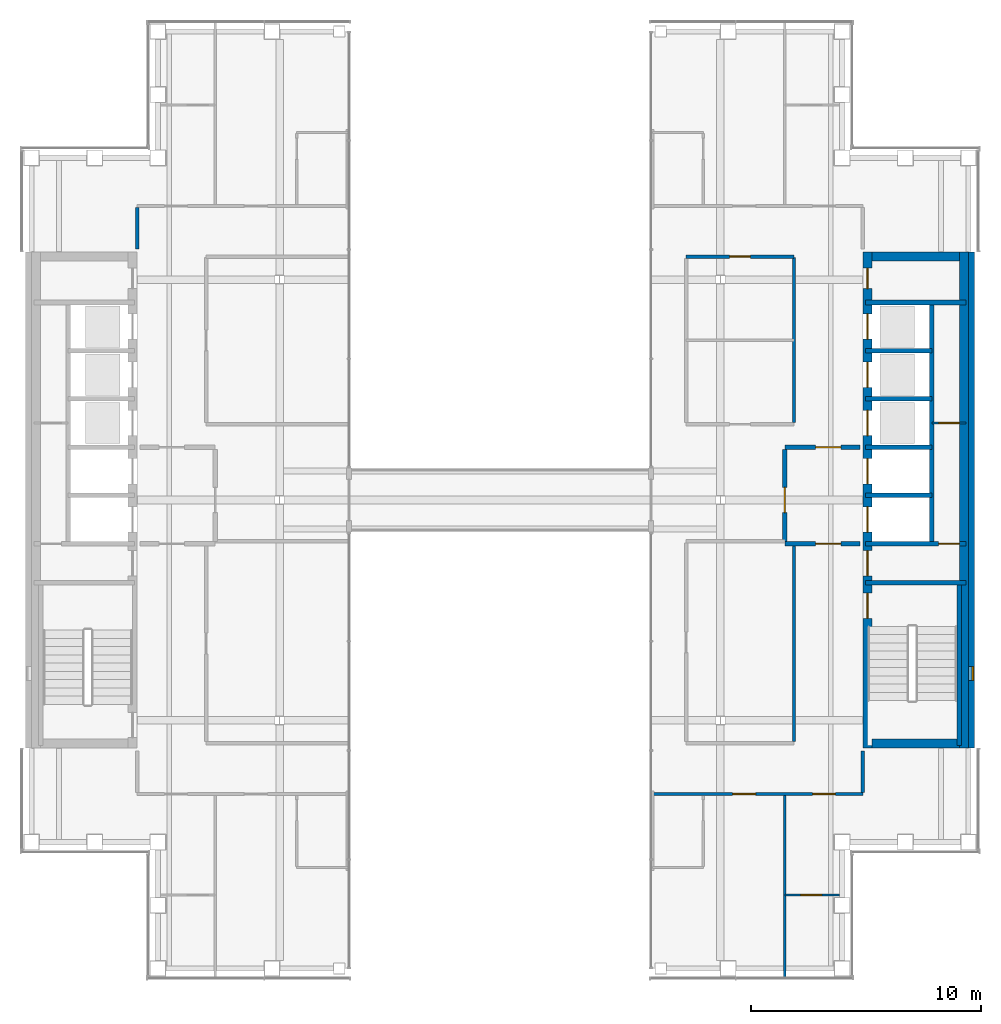
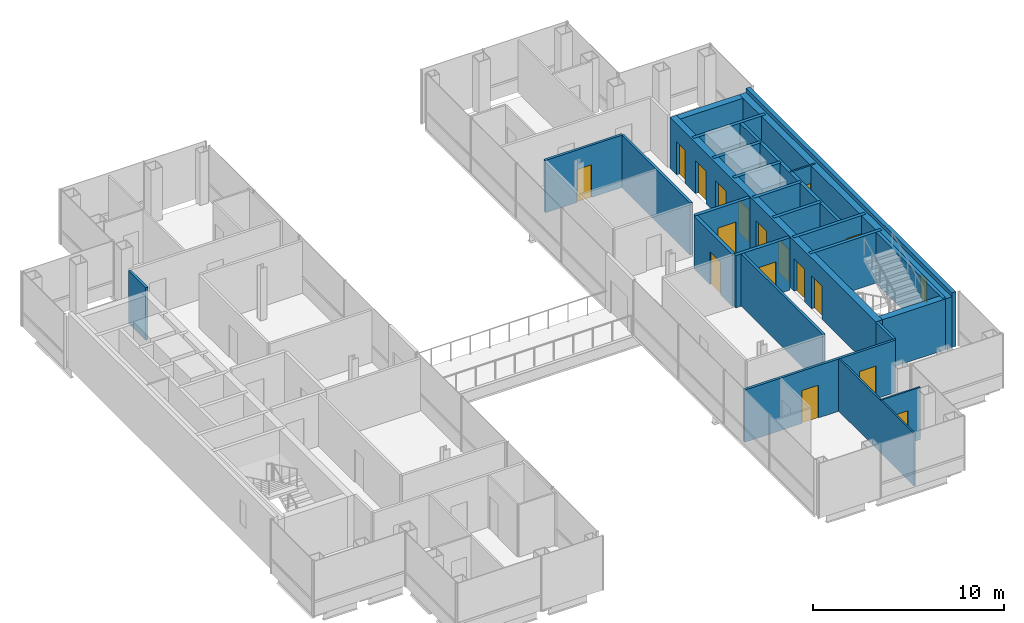
# One storey, part 12 of 15: 26 walls, 17 doors, 1 window, 18 openings.
"""IFC4 building model written with IfcOpenShell, lengths in metres."""

from ifc_helpers import new_model, si_unit, direction, frame, frame_2d, origin, place, context, subcontext, project, spatial, rectangle, extrude, material, layer, layer_set, type_object, element, fill, save


model = new_model("IFC4")

# Units and contexts
model_context = context("Model", 3, precision=1e-05, world=origin(), true_north=direction((0.0, 1.0)))
body_context = subcontext(model_context, "Body", "Model", "MODEL_VIEW")
ifc_project = project(units=[si_unit("LENGTHUNIT", "METRE"), si_unit("AREAUNIT", "SQUARE_METRE"), si_unit("VOLUMEUNIT", "CUBIC_METRE"), si_unit("PLANEANGLEUNIT", "RADIAN"), si_unit("MASSUNIT", "GRAM", prefix="KILO")], contexts=[model_context])

# Site, building, storey
site_placement = place(None, origin())
site = spatial("IfcSite", under=ifc_project, at=site_placement, CompositionType="ELEMENT")
building_placement = place(site_placement, origin())
building = spatial("IfcBuilding", under=site, at=building_placement, Name="Cobrizo Arcos Hotel Tower", CompositionType="ELEMENT")
storey_placement = place(building_placement, frame((0.0, 0.0, 222.5)))
storey = spatial("IfcBuildingStorey", under=building, at=storey_placement, Name="L58", CompositionType="ELEMENT", Elevation=222.5)

# Wall, openings, doors
ifc_material_1 = material(Name="Gypsum board partition")
ifc_layer_1 = layer(ifc_material_1, 0.14990234375)
ifc_layer_set_1 = layer_set([ifc_layer_1], Name="Corridor wall EI 60 150")
wall_type_1 = type_object("IfcWallType", Name="Corridor wall EI 60 150", PredefinedType="PARTITIONING", material=ifc_layer_set_1)
wall_1_placement = place(storey_placement, frame((6.64990234375, -12.800048828125, 0.0), z_axis=(0.0, 0.0, 1.0), x_axis=(1.0, 0.0, 0.0)))
wall_1 = element("IfcWall", 1, at=wall_1_placement, inside=storey, type_object=wall_type_1, Name="Partition 006", PredefinedType="PARTITIONING", context=body_context, shape_type="SweptSolid", body=[
    extrude(rectangle(XDim=9.150146484375, YDim=0.14990234375, at=frame_2d((4.5751953125, 0.0))), origin(), (0.0, 0.0, 1.0), 3.35009765625),
])
opening_1_placement = place(wall_1_placement, frame((3.48291015625, 0.0, 0.0)))
opening_1 = element("IfcOpeningElement", 2, at=opening_1_placement, cuts=wall_1, Name="Opening GD-03", PredefinedType="OPENING", context=body_context, shape_type="SweptSolid", body=[
    extrude(rectangle(XDim=1.0, YDim=2.10009765625, at=frame_2d((0.5, 1.050048828125))), frame((0.0, 0.0869140625, 0.0), z_axis=(0.0, -1.0, 0.0), x_axis=(1.0, 0.0, 0.0)), (0.0, 0.0, 1.0), 0.173828125),
])
opening_2_placement = place(wall_1_placement, frame((6.9580078125, 0.0, 0.0)))
opening_2 = element("IfcOpeningElement", 3, at=opening_2_placement, cuts=wall_1, Name="Opening GD-07", PredefinedType="OPENING", context=body_context, shape_type="SweptSolid", body=[
    extrude(rectangle(XDim=1.0, YDim=2.10009765625, at=frame_2d((0.5, 1.050048828125))), frame((0.0, 0.0869140625, 0.0), z_axis=(0.0, -1.0, 0.0), x_axis=(1.0, 0.0, 0.0)), (0.0, 0.0, 1.0), 0.173828125),
])
ifc_material_2 = material(Name="Timber door leaf", Category="wood")
door_type_1 = type_object("IfcDoorType", Name="Guest room door FD30S 1000x2100", OperationType="SINGLE_SWING_LEFT", PredefinedType="DOOR", material=ifc_material_2)
door_1_placement = place(opening_1_placement, origin())
door_1 = element("IfcDoor", 4, at=door_1_placement, inside=storey, type_object=door_type_1, Name="Door GD-03", OperationType="SINGLE_SWING_RIGHT", OverallHeight=2.10009765625, OverallWidth=1.0, PredefinedType="DOOR", context=body_context, shape_type="SweptSolid", body=[
    extrude(rectangle(XDim=1.0, YDim=2.10009765625, at=frame_2d((0.5, 1.050048828125))), frame((0.0, 0.02490234375, 0.0), z_axis=(0.0, -1.0, 0.0), x_axis=(1.0, 0.0, 0.0)), (0.0, 0.0, 1.0), 0.050048828125),
])
fill(opening_1, door_1)
door_2_placement = place(opening_2_placement, origin())
door_2 = element("IfcDoor", 5, at=door_2_placement, inside=storey, type_object=door_type_1, Name="Door GD-07", OperationType="SINGLE_SWING_LEFT", OverallHeight=2.10009765625, OverallWidth=1.0, PredefinedType="DOOR", context=body_context, shape_type="SweptSolid", body=[
    extrude(rectangle(XDim=1.0, YDim=2.10009765625, at=frame_2d((0.5, 1.050048828125))), frame((0.0, 0.02490234375, 0.0), z_axis=(0.0, -1.0, 0.0), x_axis=(1.0, 0.0, 0.0)), (0.0, 0.0, 1.0), 0.050048828125),
])
fill(opening_2, door_2)

# Wall, opening, door
wall_2_placement = place(storey_placement, frame((8.10009765625, 10.60009765625, 0.0), z_axis=(0.0, 0.0, 1.0), x_axis=(1.0, 0.0, 0.0)))
wall_2 = element("IfcWall", 6, at=wall_2_placement, inside=storey, type_object=wall_type_1, Name="Partition 035", PredefinedType="PARTITIONING", context=body_context, shape_type="SweptSolid", body=[
    extrude(rectangle(XDim=4.699951171875, YDim=0.14990234375, at=frame_2d((2.35009765625, 0.0))), origin(), (0.0, 0.0, 1.0), 3.35009765625),
])
opening_3_placement = place(wall_2_placement, frame((1.89990234375, 0.0, 0.0)))
opening_3 = element("IfcOpeningElement", 7, at=opening_3_placement, cuts=wall_2, Name="Opening ED-10", PredefinedType="OPENING", context=body_context, shape_type="SweptSolid", body=[
    extrude(rectangle(XDim=0.89990234375, YDim=2.10009765625, at=frame_2d((0.449951171875, 1.050048828125))), frame((0.0, 0.0869140625, 0.0), z_axis=(0.0, -1.0, 0.0), x_axis=(1.0, 0.0, 0.0)), (0.0, 0.0, 1.0), 0.173828125),
])
door_type_2 = type_object("IfcDoorType", Name="En-suite door 900x2100", OperationType="SINGLE_SWING_LEFT", PredefinedType="DOOR", material=ifc_material_2)
door_3_placement = place(opening_3_placement, origin())
door_3 = element("IfcDoor", 8, at=door_3_placement, inside=storey, type_object=door_type_2, Name="Door ED-10", OperationType="SINGLE_SWING_LEFT", OverallHeight=2.10009765625, OverallWidth=0.89990234375, PredefinedType="DOOR", context=body_context, shape_type="SweptSolid", body=[
    extrude(rectangle(XDim=0.89990234375, YDim=2.10009765625, at=frame_2d((0.449951171875, 1.050048828125))), frame((0.0, 0.02490234375, 0.0), z_axis=(0.0, -1.0, 0.0), x_axis=(1.0, 0.0, 0.0)), (0.0, 0.0, 1.0), 0.050048828125),
])
fill(opening_3, door_3)

# Walls
wall_3_placement = place(storey_placement, frame((-15.800048828125, 10.919921875, 0.0), z_axis=(0.0, 0.0, 1.0), x_axis=(0.0, 1.0, 0.0)))
element("IfcWall", 9, at=wall_3_placement, inside=storey, type_object=wall_type_1, Name="Partition 045", PredefinedType="PARTITIONING", context=body_context, shape_type="SweptSolid", body=[
    extrude(rectangle(XDim=1.80517578125, YDim=0.14990234375, at=frame_2d((0.902587890625, 0.0))), origin(), (0.0, 0.0, 1.0), 3.35009765625),
])
wall_4_placement = place(storey_placement, frame((12.800048828125, -10.52490234375, 0.0), z_axis=(0.0, 0.0, 1.0), x_axis=(0.0, 1.0, 0.0)))
element("IfcWall", 10, at=wall_4_placement, inside=storey, type_object=wall_type_1, Name="Partition 064", PredefinedType="PARTITIONING", context=body_context, shape_type="SweptSolid", body=[
    extrude(rectangle(XDim=8.52490234375, YDim=0.14990234375, at=frame_2d((4.262451171875, 0.0))), origin(), (0.0, 0.0, 1.0), 3.35009765625),
])
wall_5_placement = place(storey_placement, frame((12.800048828125, 3.375, 0.0), z_axis=(0.0, 0.0, 1.0), x_axis=(0.0, 1.0, 0.0)))
element("IfcWall", 11, at=wall_5_placement, inside=storey, type_object=wall_type_1, Name="Partition 065", PredefinedType="PARTITIONING", context=body_context, shape_type="SweptSolid", body=[
    extrude(rectangle(XDim=7.175048828125, YDim=0.14990234375, at=frame_2d((3.58740234375, 0.0))), origin(), (0.0, 0.0, 1.0), 3.35009765625),
])
wall_6_placement = place(storey_placement, frame((15.800048828125, -12.72509765625, 0.0), z_axis=(0.0, 0.0, 1.0), x_axis=(0.0, 1.0, 0.0)))
element("IfcWall", 12, at=wall_6_placement, inside=storey, type_object=wall_type_1, Name="Partition 066", PredefinedType="PARTITIONING", context=body_context, shape_type="SweptSolid", body=[
    extrude(rectangle(XDim=1.80517578125, YDim=0.14990234375, at=frame_2d((0.902587890625, 0.0))), origin(), (0.0, 0.0, 1.0), 3.35009765625),
])

# Wall, opening, window
ifc_material_3 = material(Name="Aluminium composite panel pale metal", Category="aluminium")
ifc_layer_2 = layer(ifc_material_3, 0.25)
ifc_layer_set_2 = layer_set([ifc_layer_2], Name="EW-1 insulated panel wall 250")
wall_type_2 = type_object("IfcWallType", Name="EW-1 insulated panel wall 250", PredefinedType="SOLIDWALL", material=ifc_layer_set_2)
wall_7_placement = place(storey_placement, frame((20.52490234375, -10.800048828125, 0.0), z_axis=(0.0, 0.0, 1.0), x_axis=(0.0, 1.0, 0.0)))
wall_7 = element("IfcWall", 13, at=wall_7_placement, inside=storey, type_object=wall_type_2, Name="Core face wall L58 E", PredefinedType="SOLIDWALL", context=body_context, shape_type="SweptSolid", body=[
    extrude(rectangle(XDim=21.60009765625, YDim=0.25, at=frame_2d((10.800048828125, 0.0))), origin(), (0.0, 0.0, 1.0), 3.5),
])
opening_4_placement = place(wall_7_placement, frame((2.949951171875, 0.0, 1.0)))
opening_4 = element("IfcOpeningElement", 14, at=opening_4_placement, cuts=wall_7, Name="Opening W-129", PredefinedType="OPENING", context=body_context, shape_type="SweptSolid", body=[
    extrude(rectangle(XDim=0.60009765625, YDim=1.5, at=frame_2d((0.300048828125, 0.75))), frame((0.0, 0.136962890625, 0.0), z_axis=(0.0, -1.0, 0.0), x_axis=(1.0, 0.0, 0.0)), (0.0, 0.0, 1.0), 0.27392578125),
])
ifc_material_4 = material(Name="Aluminium 6063-T6 and clear laminated glass", Category="aluminium")
window_type = type_object("IfcWindowType", Name="W-C1 core stair slot window 600x1500", PartitioningType="SINGLE_PANEL", PredefinedType="WINDOW", material=ifc_material_4)
window_placement = place(opening_4_placement, origin())
window = element("IfcWindow", 15, at=window_placement, inside=storey, type_object=window_type, Name="Core face wall L58 E window W-129", OverallHeight=1.5, OverallWidth=0.60009765625, PartitioningType="SINGLE_PANEL", PredefinedType="WINDOW", context=body_context, shape_type="SweptSolid", body=[
    extrude(rectangle(XDim=0.60009765625, YDim=1.5, at=frame_2d((0.300048828125, 0.75))), frame((0.0, -0.034912109375, 0.0), z_axis=(0.0, -1.0, 0.0), x_axis=(1.0, 0.0, 0.0)), (0.0, 0.0, 1.0), 0.06005859375),
])
fill(opening_4, window)

# Wall, opening, door
ifc_layer_3 = layer(ifc_material_1, 0.10009765625)
ifc_layer_set_3 = layer_set([ifc_layer_3], Name="Partition EI 30 100")
wall_type_3 = type_object("IfcWallType", Name="Partition EI 30 100", PredefinedType="PARTITIONING", material=ifc_layer_set_3)
wall_8_placement = place(storey_placement, frame((12.39990234375, -17.199951171875, 0.0), z_axis=(0.0, 0.0, 1.0), x_axis=(1.0, 0.0, 0.0)))
wall_8 = element("IfcWall", 16, at=wall_8_placement, inside=storey, type_object=wall_type_3, Name="Partition 002", PredefinedType="PARTITIONING", context=body_context, shape_type="SweptSolid", body=[
    extrude(rectangle(XDim=2.380126953125, YDim=0.10009765625, at=frame_2d((1.18994140625, 0.0))), origin(), (0.0, 0.0, 1.0), 3.35009765625),
])
opening_5_placement = place(wall_8_placement, frame((0.705078125, 0.0, 0.0)))
opening_5 = element("IfcOpeningElement", 17, at=opening_5_placement, cuts=wall_8, Name="Opening ED-07", PredefinedType="OPENING", context=body_context, shape_type="SweptSolid", body=[
    extrude(rectangle(XDim=0.89990234375, YDim=2.10009765625, at=frame_2d((0.449951171875, 1.050048828125))), frame((0.0, 0.06201171875, 0.0), z_axis=(0.0, -1.0, 0.0), x_axis=(1.0, 0.0, 0.0)), (0.0, 0.0, 1.0), 0.1240234375),
])
door_4_placement = place(opening_5_placement, origin())
door_4 = element("IfcDoor", 18, at=door_4_placement, inside=storey, type_object=door_type_2, Name="Door ED-07", OperationType="SINGLE_SWING_RIGHT", OverallHeight=2.10009765625, OverallWidth=0.89990234375, PredefinedType="DOOR", context=body_context, shape_type="SweptSolid", body=[
    extrude(rectangle(XDim=0.89990234375, YDim=2.10009765625, at=frame_2d((0.449951171875, 1.050048828125))), frame((0.0, 0.02490234375, 0.0), z_axis=(0.0, -1.0, 0.0), x_axis=(1.0, 0.0, 0.0)), (0.0, 0.0, 1.0), 0.050048828125),
])
fill(opening_5, door_4)

wall_9_placement = place(storey_placement, frame((18.800048828125, 3.35009765625, 0.0), z_axis=(0.0, 0.0, 1.0), x_axis=(1.0, 0.0, 0.0)))
wall_9 = element("IfcWall", 19, at=wall_9_placement, inside=storey, type_object=wall_type_3, Name="Partition 026", PredefinedType="PARTITIONING", context=body_context, shape_type="SweptSolid", body=[
    extrude(rectangle(XDim=1.47998046875, YDim=0.10009765625, at=frame_2d((0.739990234375, 0.0))), origin(), (0.0, 0.0, 1.0), 3.25),
])
opening_6_placement = place(wall_9_placement, frame((0.300048828125, 0.0, 0.0)))
opening_6 = element("IfcOpeningElement", 20, at=opening_6_placement, cuts=wall_9, Name="Opening RD-06", PredefinedType="OPENING", context=body_context, shape_type="SweptSolid", body=[
    extrude(rectangle(XDim=0.89990234375, YDim=2.10009765625, at=frame_2d((0.449951171875, 1.050048828125))), frame((0.0, 0.06201171875, 0.0), z_axis=(0.0, -1.0, 0.0), x_axis=(1.0, 0.0, 0.0)), (0.0, 0.0, 1.0), 0.1240234375),
])
door_type_3 = type_object("IfcDoorType", Name="Room door FD30 900x2100", OperationType="SINGLE_SWING_LEFT", PredefinedType="DOOR", material=ifc_material_2)
door_5_placement = place(opening_6_placement, origin())
door_5 = element("IfcDoor", 21, at=door_5_placement, inside=storey, type_object=door_type_3, Name="Door RD-06", OperationType="SINGLE_SWING_RIGHT", OverallHeight=2.10009765625, OverallWidth=0.89990234375, PredefinedType="DOOR", context=body_context, shape_type="SweptSolid", body=[
    extrude(rectangle(XDim=0.89990234375, YDim=2.10009765625, at=frame_2d((0.449951171875, 1.050048828125))), frame((0.0, 0.02490234375, 0.0), z_axis=(0.0, -1.0, 0.0), x_axis=(1.0, 0.0, 0.0)), (0.0, 0.0, 1.0), 0.050048828125),
])
fill(opening_6, door_5)

# Wall
wall_10_placement = place(storey_placement, frame((12.39990234375, -20.780029296875, 0.0), z_axis=(0.0, 0.0, 1.0), x_axis=(0.0, 1.0, 0.0)))
element("IfcWall", 22, at=wall_10_placement, inside=storey, type_object=wall_type_3, Name="Partition 061", PredefinedType="PARTITIONING", context=body_context, shape_type="SweptSolid", body=[
    extrude(rectangle(XDim=7.905029296875, YDim=0.10009765625, at=frame_2d((3.95263671875, 0.0))), origin(), (0.0, 0.0, 1.0), 3.35009765625),
])

# Wall, openings, doors
ifc_material_5 = material(Name="Concrete f'c 40 MPa", Category="concrete")
ifc_layer_4 = layer(ifc_material_5, 0.39990234375)
ifc_layer_set_4 = layer_set([ifc_layer_4], Name="RC core wall 400 f'c 40")
wall_type_4 = type_object("IfcWallType", Name="RC core wall 400 f'c 40", PredefinedType="SHEAR", material=ifc_layer_set_4)
wall_11_placement = place(storey_placement, frame((16.0, -10.800048828125, 0.0), z_axis=(0.0, 0.0, 1.0), x_axis=(0.0, 1.0, 0.0)))
wall_11 = element("IfcWall", 23, at=wall_11_placement, inside=storey, type_object=wall_type_4, Name="Core wall CW4, east core, inner face, L58", PredefinedType="SHEAR", context=body_context, shape_type="SweptSolid", body=[
    extrude(rectangle(XDim=21.60009765625, YDim=0.39990234375, at=frame_2d((10.800048828125, 0.0))), origin(), (0.0, 0.0, 1.0), 3.25),
])
opening_7_placement = place(wall_11_placement, frame((9.39990234375, 0.0, 0.0)))
opening_7 = element("IfcOpeningElement", 24, at=opening_7_placement, cuts=wall_11, Name="Opening LD-06", PredefinedType="OPENING", context=body_context, shape_type="SweptSolid", body=[
    extrude(rectangle(XDim=1.10009765625, YDim=2.10009765625, at=frame_2d((0.550048828125, 1.050048828125))), frame((0.0, 0.2119140625, 0.0), z_axis=(0.0, -1.0, 0.0), x_axis=(1.0, 0.0, 0.0)), (0.0, 0.0, 1.0), 0.423828125),
])
opening_8_placement = place(wall_11_placement, frame((11.5, 0.0, 0.0)))
opening_8 = element("IfcOpeningElement", 25, at=opening_8_placement, cuts=wall_11, Name="Opening LD-07", PredefinedType="OPENING", context=body_context, shape_type="SweptSolid", body=[
    extrude(rectangle(XDim=1.10009765625, YDim=2.10009765625, at=frame_2d((0.550048828125, 1.050048828125))), frame((0.0, 0.2119140625, 0.0), z_axis=(0.0, -1.0, 0.0), x_axis=(1.0, 0.0, 0.0)), (0.0, 0.0, 1.0), 0.423828125),
])
opening_9_placement = place(wall_11_placement, frame((13.60009765625, 0.0, 0.0)))
opening_9 = element("IfcOpeningElement", 26, at=opening_9_placement, cuts=wall_11, Name="Opening LD-08", PredefinedType="OPENING", context=body_context, shape_type="SweptSolid", body=[
    extrude(rectangle(XDim=1.10009765625, YDim=2.10009765625, at=frame_2d((0.550048828125, 1.050048828125))), frame((0.0, 0.2119140625, 0.0), z_axis=(0.0, -1.0, 0.0), x_axis=(1.0, 0.0, 0.0)), (0.0, 0.0, 1.0), 0.423828125),
])
opening_10_placement = place(wall_11_placement, frame((15.699951171875, 0.0, 0.0)))
opening_10 = element("IfcOpeningElement", 27, at=opening_10_placement, cuts=wall_11, Name="Opening LD-09", PredefinedType="OPENING", context=body_context, shape_type="SweptSolid", body=[
    extrude(rectangle(XDim=1.10009765625, YDim=2.10009765625, at=frame_2d((0.550048828125, 1.050048828125))), frame((0.0, 0.2119140625, 0.0), z_axis=(0.0, -1.0, 0.0), x_axis=(1.0, 0.0, 0.0)), (0.0, 0.0, 1.0), 0.423828125),
])
opening_11_placement = place(wall_11_placement, frame((17.800048828125, 0.0, 0.0)))
opening_11 = element("IfcOpeningElement", 28, at=opening_11_placement, cuts=wall_11, Name="Opening LD-10", PredefinedType="OPENING", context=body_context, shape_type="SweptSolid", body=[
    extrude(rectangle(XDim=1.10009765625, YDim=2.10009765625, at=frame_2d((0.550048828125, 1.050048828125))), frame((0.0, 0.2119140625, 0.0), z_axis=(0.0, -1.0, 0.0), x_axis=(1.0, 0.0, 0.0)), (0.0, 0.0, 1.0), 0.423828125),
])
opening_12_placement = place(wall_11_placement, frame((5.64208984375, 0.0, 0.0)))
opening_12 = element("IfcOpeningElement", 29, at=opening_12_placement, cuts=wall_11, Name="Opening SD-02", PredefinedType="OPENING", context=body_context, shape_type="SweptSolid", body=[
    extrude(rectangle(XDim=1.10009765625, YDim=2.10009765625, at=frame_2d((0.550048828125, 1.050048828125))), frame((0.0, 0.2119140625, 0.0), z_axis=(0.0, -1.0, 0.0), x_axis=(1.0, 0.0, 0.0)), (0.0, 0.0, 1.0), 0.423828125),
])
opening_13_placement = place(wall_11_placement, frame((7.5, 0.0, 0.0)))
opening_13 = element("IfcOpeningElement", 30, at=opening_13_placement, cuts=wall_11, Name="Opening FD-05", PredefinedType="OPENING", context=body_context, shape_type="SweptSolid", body=[
    extrude(rectangle(XDim=1.10009765625, YDim=2.10009765625, at=frame_2d((0.550048828125, 1.050048828125))), frame((0.0, 0.2119140625, 0.0), z_axis=(0.0, -1.0, 0.0), x_axis=(1.0, 0.0, 0.0)), (0.0, 0.0, 1.0), 0.423828125),
])
opening_14_placement = place(wall_11_placement, frame((20.0, 0.0, 0.0)))
opening_14 = element("IfcOpeningElement", 31, at=opening_14_placement, cuts=wall_11, Name="Opening RD-04", PredefinedType="OPENING", context=body_context, shape_type="SweptSolid", body=[
    extrude(rectangle(XDim=0.89990234375, YDim=2.10009765625, at=frame_2d((0.449951171875, 1.050048828125))), frame((0.0, 0.2119140625, 0.0), z_axis=(0.0, -1.0, 0.0), x_axis=(1.0, 0.0, 0.0)), (0.0, 0.0, 1.0), 0.423828125),
])
ifc_material_6 = material(Name="Steel door leaf", Category="steel")
door_type_4 = type_object("IfcDoorType", Name="Fire door FD60 1100x2100", OperationType="SINGLE_SWING_LEFT", PredefinedType="DOOR", material=ifc_material_6)
door_6_placement = place(opening_13_placement, origin())
door_6 = element("IfcDoor", 32, at=door_6_placement, inside=storey, type_object=door_type_4, Name="Door FD-05", OperationType="SINGLE_SWING_LEFT", OverallHeight=2.10009765625, OverallWidth=1.10009765625, PredefinedType="DOOR", context=body_context, shape_type="SweptSolid", body=[
    extrude(rectangle(XDim=1.10009765625, YDim=2.10009765625, at=frame_2d((0.550048828125, 1.050048828125))), frame((0.0, 0.02490234375, 0.0), z_axis=(0.0, -1.0, 0.0), x_axis=(1.0, 0.0, 0.0)), (0.0, 0.0, 1.0), 0.050048828125),
])
fill(opening_13, door_6)
door_type_5 = type_object("IfcDoorType", Name="Lift landing door 1100x2100", OperationType="SLIDING_TO_LEFT", PredefinedType="DOOR", material=ifc_material_6)
door_7_placement = place(opening_7_placement, origin())
door_7 = element("IfcDoor", 33, at=door_7_placement, inside=storey, type_object=door_type_5, Name="Lift landing door LD-06", OperationType="SLIDING_TO_LEFT", OverallHeight=2.10009765625, OverallWidth=1.10009765625, PredefinedType="DOOR", context=body_context, shape_type="SweptSolid", body=[
    extrude(rectangle(XDim=1.10009765625, YDim=2.10009765625, at=frame_2d((0.550048828125, 1.050048828125))), frame((0.0, 0.02490234375, 0.0), z_axis=(0.0, -1.0, 0.0), x_axis=(1.0, 0.0, 0.0)), (0.0, 0.0, 1.0), 0.050048828125),
])
fill(opening_7, door_7)
door_8_placement = place(opening_8_placement, origin())
door_8 = element("IfcDoor", 34, at=door_8_placement, inside=storey, type_object=door_type_5, Name="Lift landing door LD-07", OperationType="SLIDING_TO_LEFT", OverallHeight=2.10009765625, OverallWidth=1.10009765625, PredefinedType="DOOR", context=body_context, shape_type="SweptSolid", body=[
    extrude(rectangle(XDim=1.10009765625, YDim=2.10009765625, at=frame_2d((0.550048828125, 1.050048828125))), frame((0.0, 0.02490234375, 0.0), z_axis=(0.0, -1.0, 0.0), x_axis=(1.0, 0.0, 0.0)), (0.0, 0.0, 1.0), 0.050048828125),
])
fill(opening_8, door_8)
door_9_placement = place(opening_9_placement, origin())
door_9 = element("IfcDoor", 35, at=door_9_placement, inside=storey, type_object=door_type_5, Name="Lift landing door LD-08", OperationType="SLIDING_TO_LEFT", OverallHeight=2.10009765625, OverallWidth=1.10009765625, PredefinedType="DOOR", context=body_context, shape_type="SweptSolid", body=[
    extrude(rectangle(XDim=1.10009765625, YDim=2.10009765625, at=frame_2d((0.550048828125, 1.050048828125))), frame((0.0, 0.02490234375, 0.0), z_axis=(0.0, -1.0, 0.0), x_axis=(1.0, 0.0, 0.0)), (0.0, 0.0, 1.0), 0.050048828125),
])
fill(opening_9, door_9)
door_10_placement = place(opening_10_placement, origin())
door_10 = element("IfcDoor", 36, at=door_10_placement, inside=storey, type_object=door_type_5, Name="Lift landing door LD-09", OperationType="SLIDING_TO_LEFT", OverallHeight=2.10009765625, OverallWidth=1.10009765625, PredefinedType="DOOR", context=body_context, shape_type="SweptSolid", body=[
    extrude(rectangle(XDim=1.10009765625, YDim=2.10009765625, at=frame_2d((0.550048828125, 1.050048828125))), frame((0.0, 0.02490234375, 0.0), z_axis=(0.0, -1.0, 0.0), x_axis=(1.0, 0.0, 0.0)), (0.0, 0.0, 1.0), 0.050048828125),
])
fill(opening_10, door_10)
door_11_placement = place(opening_11_placement, origin())
door_11 = element("IfcDoor", 37, at=door_11_placement, inside=storey, type_object=door_type_5, Name="Lift landing door LD-10", OperationType="SLIDING_TO_LEFT", OverallHeight=2.10009765625, OverallWidth=1.10009765625, PredefinedType="DOOR", context=body_context, shape_type="SweptSolid", body=[
    extrude(rectangle(XDim=1.10009765625, YDim=2.10009765625, at=frame_2d((0.550048828125, 1.050048828125))), frame((0.0, 0.02490234375, 0.0), z_axis=(0.0, -1.0, 0.0), x_axis=(1.0, 0.0, 0.0)), (0.0, 0.0, 1.0), 0.050048828125),
])
fill(opening_11, door_11)
door_12_placement = place(opening_14_placement, origin())
door_12 = element("IfcDoor", 38, at=door_12_placement, inside=storey, type_object=door_type_3, Name="Door RD-04", OperationType="SINGLE_SWING_RIGHT", OverallHeight=2.10009765625, OverallWidth=0.89990234375, PredefinedType="DOOR", context=body_context, shape_type="SweptSolid", body=[
    extrude(rectangle(XDim=0.89990234375, YDim=2.10009765625, at=frame_2d((0.449951171875, 1.050048828125))), frame((0.0, 0.02490234375, 0.0), z_axis=(0.0, -1.0, 0.0), x_axis=(1.0, 0.0, 0.0)), (0.0, 0.0, 1.0), 0.050048828125),
])
fill(opening_14, door_12)
door_type_6 = type_object("IfcDoorType", Name="Stair door FD60S 1100x2100", OperationType="SINGLE_SWING_LEFT", PredefinedType="DOOR", material=ifc_material_6)
door_13_placement = place(opening_12_placement, origin())
door_13 = element("IfcDoor", 39, at=door_13_placement, inside=storey, type_object=door_type_6, Name="Door SD-02", OperationType="SINGLE_SWING_LEFT", OverallHeight=2.10009765625, OverallWidth=1.10009765625, PredefinedType="DOOR", context=body_context, shape_type="SweptSolid", body=[
    extrude(rectangle(XDim=1.10009765625, YDim=2.10009765625, at=frame_2d((0.550048828125, 1.050048828125))), frame((0.0, 0.02490234375, 0.0), z_axis=(0.0, -1.0, 0.0), x_axis=(1.0, 0.0, 0.0)), (0.0, 0.0, 1.0), 0.050048828125),
])
fill(opening_12, door_13)

# Walls
wall_12_placement = place(storey_placement, frame((20.199951171875, -10.800048828125, 0.0), z_axis=(0.0, 0.0, 1.0), x_axis=(0.0, 1.0, 0.0)))
element("IfcWall", 40, at=wall_12_placement, inside=storey, type_object=wall_type_4, Name="Core wall CW4, east core, outer face, L58", PredefinedType="SHEAR", context=body_context, shape_type="SweptSolid", body=[
    extrude(rectangle(XDim=21.60009765625, YDim=0.39990234375, at=frame_2d((10.800048828125, 0.0))), origin(), (0.0, 0.0, 1.0), 3.25),
])
for number, where, z_axis, x_axis, name in (
    (41, (16.199951171875, 10.60009765625, 0.0), (0.0, 0.0, 1.0), (1.0, 0.0, 0.0), "Core wall CW4, east core, north end, L58"),
    (42, (16.199951171875, -10.60009765625, 0.0), (0.0, 0.0, 1.0), (1.0, 0.0, 0.0), "Core wall CW4, east core, south end, L58"),
):
    element("IfcWall", number, at=place(storey_placement, frame(where, z_axis=z_axis, x_axis=x_axis)), inside=storey, type_object=wall_type_4, Name=name, PredefinedType="SHEAR", context=body_context, shape_type="SweptSolid", body=[
        extrude(rectangle(XDim=3.800048828125, YDim=0.39990234375, at=frame_2d((1.89990234375, 0.0))), origin(), (0.0, 0.0, 1.0), 3.25),
    ])

# Wall, opening, door
ifc_layer_5 = layer(ifc_material_1, 0.199951171875)
ifc_layer_set_5 = layer_set([ifc_layer_5], Name="Shaft wall EI 120 200")
wall_type_5 = type_object("IfcWallType", Name="Shaft wall EI 120 200", PredefinedType="PARTITIONING", material=ifc_layer_set_5)
wall_13_placement = place(storey_placement, frame((12.39990234375, -1.89990234375, 0.0), z_axis=(0.0, 0.0, 1.0), x_axis=(1.0, 0.0, 0.0)))
wall_13 = element("IfcWall", 43, at=wall_13_placement, inside=storey, type_object=wall_type_5, Name="Partition 013", PredefinedType="PARTITIONING", context=body_context, shape_type="SweptSolid", body=[
    extrude(rectangle(XDim=3.280029296875, YDim=0.199951171875, at=frame_2d((1.64013671875, 0.0))), origin(), (0.0, 0.0, 1.0), 3.35009765625),
])
opening_15_placement = place(wall_13_placement, frame((1.340087890625, 0.0, 0.0)))
opening_15 = element("IfcOpeningElement", 44, at=opening_15_placement, cuts=wall_13, Name="Opening FD-07", PredefinedType="OPENING", context=body_context, shape_type="SweptSolid", body=[
    extrude(rectangle(XDim=1.10009765625, YDim=2.10009765625, at=frame_2d((0.550048828125, 1.050048828125))), frame((0.0, 0.112060546875, 0.0), z_axis=(0.0, -1.0, 0.0), x_axis=(1.0, 0.0, 0.0)), (0.0, 0.0, 1.0), 0.223876953125),
])
door_14_placement = place(opening_15_placement, origin())
door_14 = element("IfcDoor", 45, at=door_14_placement, inside=storey, type_object=door_type_4, Name="Door FD-07", OperationType="SINGLE_SWING_RIGHT", OverallHeight=2.10009765625, OverallWidth=1.10009765625, PredefinedType="DOOR", context=body_context, shape_type="SweptSolid", body=[
    extrude(rectangle(XDim=1.10009765625, YDim=2.10009765625, at=frame_2d((0.550048828125, 1.050048828125))), frame((0.0, 0.02490234375, 0.0), z_axis=(0.0, -1.0, 0.0), x_axis=(1.0, 0.0, 0.0)), (0.0, 0.0, 1.0), 0.050048828125),
])
fill(opening_15, door_14)

wall_14_placement = place(storey_placement, frame((15.919921875, -1.89990234375, 0.0), z_axis=(0.0, 0.0, 1.0), x_axis=(1.0, 0.0, 0.0)))
wall_14 = element("IfcWall", 46, at=wall_14_placement, inside=storey, type_object=wall_type_5, Name="Partition 014", PredefinedType="PARTITIONING", context=body_context, shape_type="SweptSolid", body=[
    extrude(rectangle(XDim=4.360107421875, YDim=0.199951171875, at=frame_2d((2.18017578125, 0.0))), origin(), (0.0, 0.0, 1.0), 3.25),
])
opening_16_placement = place(wall_14_placement, frame((3.179931640625, 0.0, 0.0)))
opening_16 = element("IfcOpeningElement", 47, at=opening_16_placement, cuts=wall_14, Name="Opening RD-05", PredefinedType="OPENING", context=body_context, shape_type="SweptSolid", body=[
    extrude(rectangle(XDim=0.89990234375, YDim=2.10009765625, at=frame_2d((0.449951171875, 1.050048828125))), frame((0.0, 0.112060546875, 0.0), z_axis=(0.0, -1.0, 0.0), x_axis=(1.0, 0.0, 0.0)), (0.0, 0.0, 1.0), 0.223876953125),
])
door_15_placement = place(opening_16_placement, origin())
door_15 = element("IfcDoor", 48, at=door_15_placement, inside=storey, type_object=door_type_3, Name="Door RD-05", OperationType="SINGLE_SWING_RIGHT", OverallHeight=2.10009765625, OverallWidth=0.89990234375, PredefinedType="DOOR", context=body_context, shape_type="SweptSolid", body=[
    extrude(rectangle(XDim=0.89990234375, YDim=2.10009765625, at=frame_2d((0.449951171875, 1.050048828125))), frame((0.0, 0.02490234375, 0.0), z_axis=(0.0, -1.0, 0.0), x_axis=(1.0, 0.0, 0.0)), (0.0, 0.0, 1.0), 0.050048828125),
])
fill(opening_16, door_15)

# Wall
wall_15_placement = place(storey_placement, frame((15.919921875, 0.199951171875, 0.0), z_axis=(0.0, 0.0, 1.0), x_axis=(1.0, 0.0, 0.0)))
element("IfcWall", 49, at=wall_15_placement, inside=storey, type_object=wall_type_5, Name="Partition 018", PredefinedType="PARTITIONING", context=body_context, shape_type="SweptSolid", body=[
    extrude(rectangle(XDim=2.880126953125, YDim=0.199951171875, at=frame_2d((1.43994140625, 0.0))), origin(), (0.0, 0.0, 1.0), 3.25),
])

# Wall, opening, door
wall_16_placement = place(storey_placement, frame((12.39990234375, 2.300048828125, 0.0), z_axis=(0.0, 0.0, 1.0), x_axis=(1.0, 0.0, 0.0)))
wall_16 = element("IfcWall", 50, at=wall_16_placement, inside=storey, type_object=wall_type_5, Name="Partition 021", PredefinedType="PARTITIONING", context=body_context, shape_type="SweptSolid", body=[
    extrude(rectangle(XDim=3.280029296875, YDim=0.199951171875, at=frame_2d((1.64013671875, 0.0))), origin(), (0.0, 0.0, 1.0), 3.35009765625),
])
opening_17_placement = place(wall_16_placement, frame((1.340087890625, 0.0, 0.0)))
opening_17 = element("IfcOpeningElement", 51, at=opening_17_placement, cuts=wall_16, Name="Opening FD-08", PredefinedType="OPENING", context=body_context, shape_type="SweptSolid", body=[
    extrude(rectangle(XDim=1.10009765625, YDim=2.10009765625, at=frame_2d((0.550048828125, 1.050048828125))), frame((0.0, 0.112060546875, 0.0), z_axis=(0.0, -1.0, 0.0), x_axis=(1.0, 0.0, 0.0)), (0.0, 0.0, 1.0), 0.223876953125),
])
door_16_placement = place(opening_17_placement, origin())
door_16 = element("IfcDoor", 52, at=door_16_placement, inside=storey, type_object=door_type_4, Name="Door FD-08", OperationType="SINGLE_SWING_LEFT", OverallHeight=2.10009765625, OverallWidth=1.10009765625, PredefinedType="DOOR", context=body_context, shape_type="SweptSolid", body=[
    extrude(rectangle(XDim=1.10009765625, YDim=2.10009765625, at=frame_2d((0.550048828125, 1.050048828125))), frame((0.0, 0.02490234375, 0.0), z_axis=(0.0, -1.0, 0.0), x_axis=(1.0, 0.0, 0.0)), (0.0, 0.0, 1.0), 0.050048828125),
])
fill(opening_17, door_16)

# Walls
for number, where, z_axis, x_axis, name in (
    (53, (15.919921875, 2.300048828125, 0.0), (0.0, 0.0, 1.0), (1.0, 0.0, 0.0), "Partition 022"),
    (54, (15.919921875, 4.39990234375, 0.0), (0.0, 0.0, 1.0), (1.0, 0.0, 0.0), "Partition 028"),
    (55, (15.919921875, 6.5, 0.0), (0.0, 0.0, 1.0), (1.0, 0.0, 0.0), "Partition 030"),
):
    element("IfcWall", number, at=place(storey_placement, frame(where, z_axis=z_axis, x_axis=x_axis)), inside=storey, type_object=wall_type_5, Name=name, PredefinedType="PARTITIONING", context=body_context, shape_type="SweptSolid", body=[
        extrude(rectangle(XDim=2.880126953125, YDim=0.199951171875, at=frame_2d((1.43994140625, 0.0))), origin(), (0.0, 0.0, 1.0), 3.25),
    ])
wall_17_placement = place(storey_placement, frame((15.919921875, 8.60009765625, 0.0), z_axis=(0.0, 0.0, 1.0), x_axis=(1.0, 0.0, 0.0)))
element("IfcWall", 56, at=wall_17_placement, inside=storey, type_object=wall_type_5, Name="Partition 033", PredefinedType="PARTITIONING", context=body_context, shape_type="SweptSolid", body=[
    extrude(rectangle(XDim=4.360107421875, YDim=0.199951171875, at=frame_2d((2.18017578125, 0.0))), origin(), (0.0, 0.0, 1.0), 3.25),
])

# Wall, opening, door
wall_18_placement = place(storey_placement, frame((12.39990234375, -1.800048828125, 0.0), z_axis=(0.0, 0.0, 1.0), x_axis=(0.0, 1.0, 0.0)))
wall_18 = element("IfcWall", 57, at=wall_18_placement, inside=storey, type_object=wall_type_5, Name="Partition 062", PredefinedType="PARTITIONING", context=body_context, shape_type="SweptSolid", body=[
    extrude(rectangle(XDim=4.0, YDim=0.199951171875, at=frame_2d((2.0, 0.0))), origin(), (0.0, 0.0, 1.0), 3.35009765625),
])
opening_18_placement = place(wall_18_placement, frame((1.25, 0.0, 0.0)))
opening_18 = element("IfcOpeningElement", 58, at=opening_18_placement, cuts=wall_18, Name="Opening FD-06", PredefinedType="OPENING", context=body_context, shape_type="SweptSolid", body=[
    extrude(rectangle(XDim=1.10009765625, YDim=2.10009765625, at=frame_2d((0.550048828125, 1.050048828125))), frame((0.0, 0.112060546875, 0.0), z_axis=(0.0, -1.0, 0.0), x_axis=(1.0, 0.0, 0.0)), (0.0, 0.0, 1.0), 0.223876953125),
])
door_17_placement = place(opening_18_placement, origin())
door_17 = element("IfcDoor", 59, at=door_17_placement, inside=storey, type_object=door_type_4, Name="Door FD-06", OperationType="SINGLE_SWING_LEFT", OverallHeight=2.10009765625, OverallWidth=1.10009765625, PredefinedType="DOOR", context=body_context, shape_type="SweptSolid", body=[
    extrude(rectangle(XDim=1.10009765625, YDim=2.10009765625, at=frame_2d((0.550048828125, 1.050048828125))), frame((0.0, 0.02490234375, 0.0), z_axis=(0.0, -1.0, 0.0), x_axis=(1.0, 0.0, 0.0)), (0.0, 0.0, 1.0), 0.050048828125),
])
fill(opening_18, door_17)

# Walls
wall_19_placement = place(storey_placement, frame((18.800048828125, -1.800048828125, 0.0), z_axis=(0.0, 0.0, 1.0), x_axis=(0.0, 1.0, 0.0)))
element("IfcWall", 60, at=wall_19_placement, inside=storey, type_object=wall_type_5, Name="Partition 068", PredefinedType="PARTITIONING", context=body_context, shape_type="SweptSolid", body=[
    extrude(rectangle(XDim=10.300048828125, YDim=0.199951171875, at=frame_2d((5.14990234375, 0.0))), origin(), (0.0, 0.0, 1.0), 3.25),
])
ifc_layer_6 = layer(ifc_material_5, 0.199951171875)
ifc_layer_set_6 = layer_set([ifc_layer_6], Name="Stair shaft wall 200")
wall_type_6 = type_object("IfcWallType", Name="Stair shaft wall 200", PredefinedType="SHEAR", material=ifc_layer_set_6)
wall_20_placement = place(storey_placement, frame((15.919921875, -3.60009765625, 0.0), z_axis=(0.0, 0.0, 1.0), x_axis=(1.0, 0.0, 0.0)))
element("IfcWall", 61, at=wall_20_placement, inside=storey, type_object=wall_type_6, Name="Stair shaft wall E", PredefinedType="SHEAR", context=body_context, shape_type="SweptSolid", body=[
    extrude(rectangle(XDim=4.360107421875, YDim=0.199951171875, at=frame_2d((2.18017578125, 0.0))), origin(), (0.0, 0.0, 1.0), 3.25),
])
wall_21_placement = place(storey_placement, frame((20.0, -10.679931640625, 0.0), z_axis=(0.0, 0.0, 1.0), x_axis=(0.0, 1.0, 0.0)))
element("IfcWall", 62, at=wall_21_placement, inside=storey, type_object=wall_type_6, Name="Stair shaft wall E", PredefinedType="SHEAR", context=body_context, shape_type="SweptSolid", body=[
    extrude(rectangle(XDim=6.97998046875, YDim=0.199951171875, at=frame_2d((3.489990234375, 0.0))), origin(), (0.0, 0.0, 1.0), 3.25),
])

save(model, "model.ifc")
